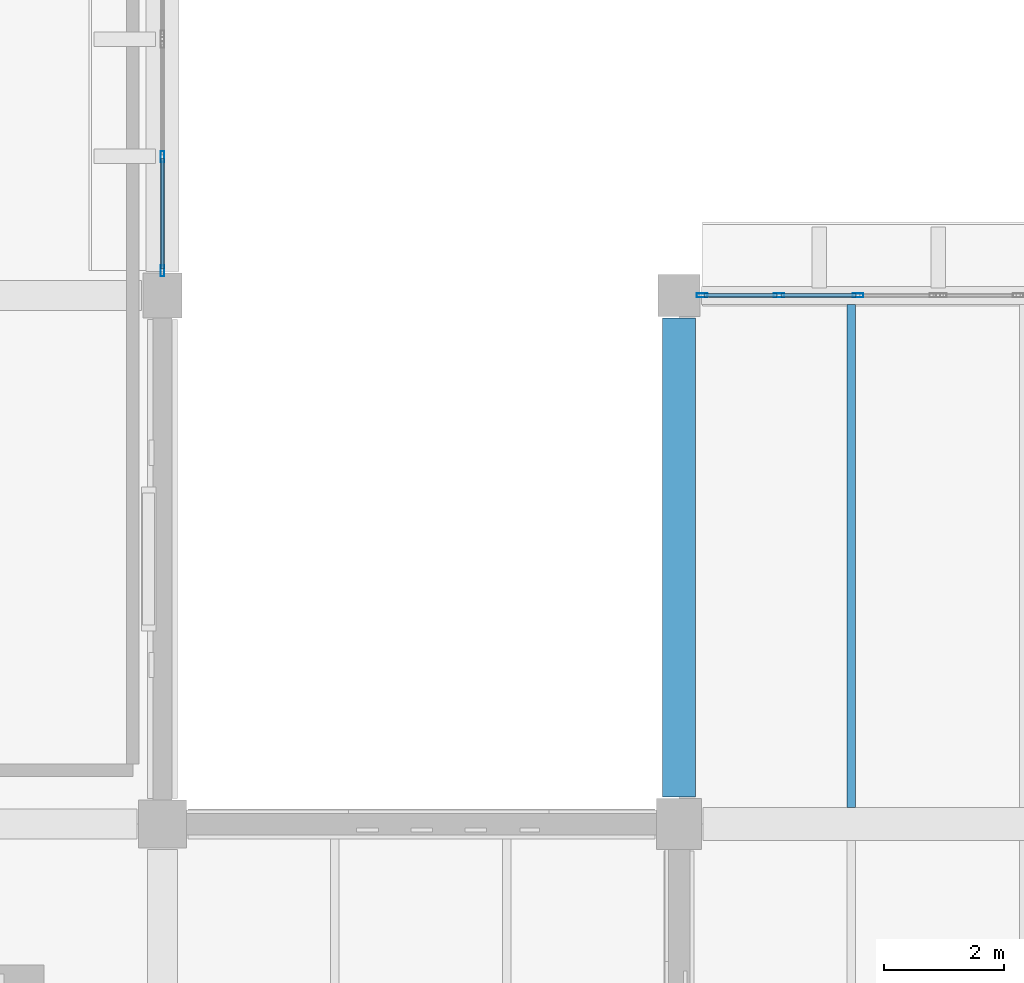
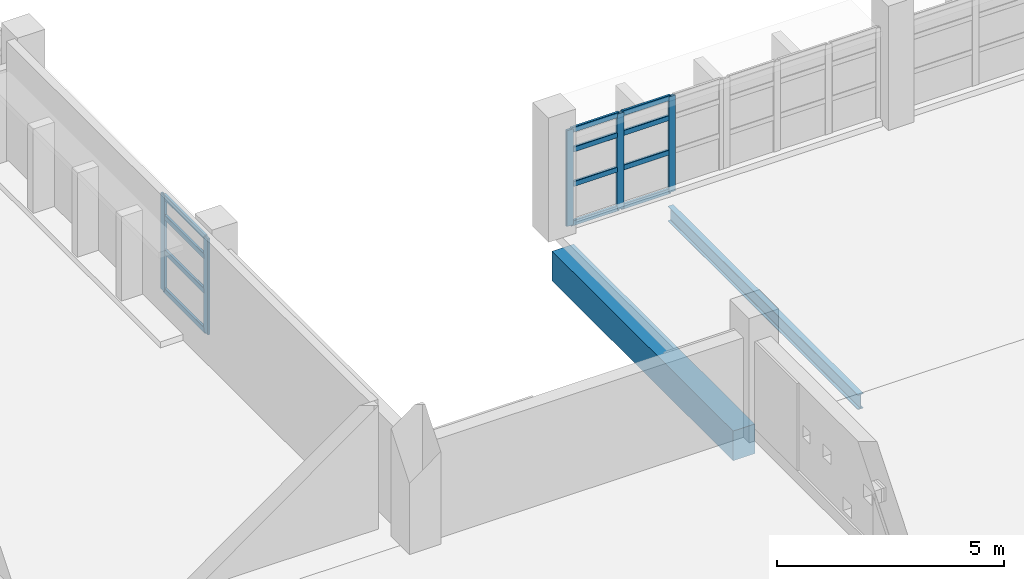
# One storey, part 18 of 75: 17 members, 2 beams, 2 elements without a shape of their own.
"""IFC4 building model written with IfcOpenShell, lengths in metres."""

from ifc_helpers import new_model, si_unit, direction, frame, origin, origin_2d, place, context, subcontext, project, spatial, rectangle, hollow_rectangle, i_section, extrude, material, material_profile, profile_set, type_object, element, aggregate, save


model = new_model("IFC4")

# Units and contexts
model_context = context("Model", 3, precision=1e-05, world=origin(), true_north=direction((0.0, 1.0)))
body_context = subcontext(model_context, "Body", "Model", "MODEL_VIEW")
ifc_project = project(units=[si_unit("LENGTHUNIT", "METRE"), si_unit("AREAUNIT", "SQUARE_METRE"), si_unit("VOLUMEUNIT", "CUBIC_METRE"), si_unit("PLANEANGLEUNIT", "RADIAN"), si_unit("MASSUNIT", "GRAM", prefix="KILO")], contexts=[model_context])

# Site, building, storey
site_placement = place(None, origin())
site = spatial("IfcSite", under=ifc_project, at=site_placement, CompositionType="ELEMENT")
building_placement = place(site_placement, origin())
building = spatial("IfcBuilding", under=site, at=building_placement, Name="Varnakota Cinema and Media Centre", CompositionType="ELEMENT")
storey_placement = place(building_placement, frame((0.0, 0.0, 8.39990234375)))
storey = spatial("IfcBuildingStorey", under=building, at=storey_placement, Name="L02", CompositionType="ELEMENT", Elevation=8.39990234375)

# Beams
ifc_material_1 = material(Name="Concrete M35", Category="concrete")
ifc_material_profile_1 = material_profile(ifc_material_1, rectangle(XDim=0.550048828125, YDim=0.800048828125, at=origin_2d()), Name="RCB 550x800")
ifc_profile_set_1 = profile_set([ifc_material_profile_1], Name="Concrete M35")
beam_type_1 = type_object("IfcBeamType", Name="BM-RC-550x800", PredefinedType="BEAM", material=ifc_profile_set_1)
beam_1_placement = place(storey_placement, frame((43.0, 35.64990234375, -0.64990234375), z_axis=(0.0, 1.0, 0.0), x_axis=(-1.0, 0.0, 0.0)))
element("IfcBeam", 1, at=beam_1_placement, inside=storey, type_object=beam_type_1, Name="L02 girder F/5-6", PredefinedType="BEAM", context=body_context, shape_type="SweptSolid", body=[
    extrude(rectangle(XDim=0.550048828125, YDim=0.800048828125, at=origin_2d()), origin(), (0.0, 0.0, 1.0), 7.97509765625),
])
ifc_material_2 = material(Name="Structural steel Grade 350 (E350)", Category="steel")
ifc_material_profile_2 = material_profile(ifc_material_2, i_section(OverallWidth=0.139892578125, OverallDepth=0.39990234375, WebThickness=0.0087890625, FlangeThickness=0.01611328125, FilletRadius=0.013916015625, at=origin_2d()), Name="ISMB 400")
ifc_profile_set_2 = profile_set([ifc_material_profile_2], Name="Structural steel Grade 350 (E350)")
beam_type_2 = type_object("IfcBeamType", Name="BM-ST-ISMB400", PredefinedType="JOIST", material=ifc_profile_set_2)
beam_2_placement = place(storey_placement, frame((45.86669921875, 35.47509765625, -0.449951171875), z_axis=(0.0, 1.0, 0.0), x_axis=(-1.0, 0.0, 0.0)))
element("IfcBeam", 2, at=beam_2_placement, inside=storey, type_object=beam_type_2, Name="L02 steel joist F-G/5-6 #1", PredefinedType="JOIST", context=body_context, shape_type="SweptSolid", body=[
    extrude(i_section(OverallWidth=0.139892578125, OverallDepth=0.39990234375, WebThickness=0.0087890625, FlangeThickness=0.01611328125, FilletRadius=0.013916015625, at=origin_2d()), origin(), (0.0, 0.0, 1.0), 8.375),
])

# Curtain wall, members
ifc_material_3 = material(Name="Thermally broken anodised aluminium AW-6063", Category="aluminium")
curtain_wall_type_1 = type_object("IfcCurtainWallType", Name="CW-STD-394x258", PredefinedType="USERDEFINED", material=ifc_material_3)
curtain_wall_1_placement = place(storey_placement, origin())
curtain_wall_1 = element("IfcCurtainWall", 3, at=curtain_wall_1_placement, inside=storey, type_object=curtain_wall_type_1, Name="L02 curtain wall CW-L02-LINK-N-01-1", ObjectType="UNITISED CURTAIN WALL", PredefinedType="USERDEFINED")
ifc_material_4 = material(Name="Thermally broken anodised aluminium AW-6063", Category="aluminium")
ifc_material_profile_3 = material_profile(ifc_material_4, hollow_rectangle(XDim=0.06494140625, YDim=0.179931640625, WallThickness=0.00390625, InnerFilletRadius=0.00390625, OuterFilletRadius=0.008056640625, at=origin_2d()), Name="AL-MULLION 180x65x4")
ifc_profile_set_3 = profile_set([ifc_material_profile_3], Name="Thermally broken anodised aluminium AW-6063")
member_type_1 = type_object("IfcMemberType", Name="CWM-AL-180", PredefinedType="MULLION", material=ifc_profile_set_3)
member_1_placement = place(storey_placement, frame((43.382568359375, 44.0, 0.0), z_axis=(0.0, 0.0, 1.0), x_axis=(0.0, 1.0, 0.0)))
member_1 = element("IfcMember", 4, at=member_1_placement, type_object=member_type_1, Name="CW30 mullion 1", PredefinedType="MULLION", context=body_context, shape_type="SweptSolid", body=[
    extrude(hollow_rectangle(XDim=0.06494140625, YDim=0.179931640625, WallThickness=0.00390625, InnerFilletRadius=0.00390625, OuterFilletRadius=0.008056640625, at=origin_2d()), origin(), (0.0, 0.0, 1.0), 2.5751953125),
])
member_2_placement = place(storey_placement, frame((44.6640625, 44.0, 0.0), z_axis=(0.0, 0.0, 1.0), x_axis=(0.0, 1.0, 0.0)))
member_2 = element("IfcMember", 5, at=member_2_placement, type_object=member_type_1, Name="CW30 mullion 2", PredefinedType="MULLION", context=body_context, shape_type="SweptSolid", body=[
    extrude(hollow_rectangle(XDim=0.06494140625, YDim=0.179931640625, WallThickness=0.00390625, InnerFilletRadius=0.00390625, OuterFilletRadius=0.008056640625, at=origin_2d()), origin(), (0.0, 0.0, 1.0), 2.5751953125),
])
member_3_placement = place(storey_placement, frame((45.978271484375, 44.0, 0.0), z_axis=(0.0, 0.0, 1.0), x_axis=(0.0, 1.0, 0.0)))
member_3 = element("IfcMember", 6, at=member_3_placement, type_object=member_type_1, Name="CW30 mullion 3", PredefinedType="MULLION", context=body_context, shape_type="SweptSolid", body=[
    extrude(hollow_rectangle(XDim=0.06494140625, YDim=0.179931640625, WallThickness=0.00390625, InnerFilletRadius=0.00390625, OuterFilletRadius=0.008056640625, at=origin_2d()), origin(), (0.0, 0.0, 1.0), 2.5751953125),
])

ifc_material_5 = material(Name="Thermally broken anodised aluminium AW-6063", Category="aluminium")
curtain_wall_type_2 = type_object("IfcCurtainWallType", Name="CW-STD-387x258", PredefinedType="USERDEFINED", material=ifc_material_5)
curtain_wall_2_placement = place(storey_placement, origin())
curtain_wall_2 = element("IfcCurtainWall", 7, at=curtain_wall_2_placement, inside=storey, type_object=curtain_wall_type_2, Name="L02 curtain wall CW-L02-V5-E-02-1", ObjectType="UNITISED CURTAIN WALL", PredefinedType="USERDEFINED")
member_4_placement = place(storey_placement, frame((34.39990234375, 44.407470703125, 0.0), z_axis=(0.0, 0.0, 1.0), x_axis=(-1.0, 0.0, 0.0)))
member_4 = element("IfcMember", 8, at=member_4_placement, type_object=member_type_1, Name="CW36 mullion 1", PredefinedType="MULLION", context=body_context, shape_type="SweptSolid", body=[
    extrude(hollow_rectangle(XDim=0.06494140625, YDim=0.179931640625, WallThickness=0.00390625, InnerFilletRadius=0.00390625, OuterFilletRadius=0.008056640625, at=origin_2d()), origin(), (0.0, 0.0, 1.0), 2.5751953125),
])
member_5_placement = place(storey_placement, frame((34.39990234375, 46.308837890625, 0.0), z_axis=(0.0, 0.0, 1.0), x_axis=(-1.0, 0.0, 0.0)))
member_5 = element("IfcMember", 9, at=member_5_placement, type_object=member_type_1, Name="CW36 mullion 2", PredefinedType="MULLION", context=body_context, shape_type="SweptSolid", body=[
    extrude(hollow_rectangle(XDim=0.06494140625, YDim=0.179931640625, WallThickness=0.00390625, InnerFilletRadius=0.00390625, OuterFilletRadius=0.008056640625, at=origin_2d()), origin(), (0.0, 0.0, 1.0), 2.5751953125),
])

# Member
ifc_material_6 = material(Name="Thermally broken anodised aluminium AW-6063", Category="aluminium")
ifc_material_profile_4 = material_profile(ifc_material_6, hollow_rectangle(XDim=0.06494140625, YDim=0.139892578125, WallThickness=0.00390625, InnerFilletRadius=0.00390625, OuterFilletRadius=0.008056640625, at=origin_2d()), Name="AL-TRANSOM 140x65x4")
ifc_profile_set_4 = profile_set([ifc_material_profile_4], Name="Thermally broken anodised aluminium AW-6063")
member_type_2 = type_object("IfcMemberType", Name="CWT-AL-140", PredefinedType="USERDEFINED", material=ifc_profile_set_4)
member_6_placement = place(storey_placement, frame((43.4150390625, 44.0, 0.03271484375), z_axis=(1.0, 0.0, 0.0), x_axis=(0.0, 1.0, 0.0)))
member_6 = element("IfcMember", 10, at=member_6_placement, type_object=member_type_2, Name="CW30 transom 1.1", ObjectType="TRANSOM", PredefinedType="USERDEFINED", context=body_context, shape_type="SweptSolid", body=[
    extrude(hollow_rectangle(XDim=0.06494140625, YDim=0.139892578125, WallThickness=0.00390625, InnerFilletRadius=0.00390625, OuterFilletRadius=0.008056640625, at=origin_2d()), origin(), (0.0, 0.0, 1.0), 1.216552734375),
])

member_7_placement = place(storey_placement, frame((43.4150390625, 44.0, 1.08154296875), z_axis=(1.0, 0.0, 0.0), x_axis=(0.0, 1.0, 0.0)))
member_7 = element("IfcMember", 11, at=member_7_placement, type_object=member_type_2, Name="CW30 transom 1.2", ObjectType="TRANSOM", PredefinedType="USERDEFINED", context=body_context, shape_type="SweptSolid", body=[
    extrude(hollow_rectangle(XDim=0.06494140625, YDim=0.139892578125, WallThickness=0.00390625, InnerFilletRadius=0.00390625, OuterFilletRadius=0.008056640625, at=origin_2d()), origin(), (0.0, 0.0, 1.0), 1.216552734375),
])

member_8_placement = place(storey_placement, frame((43.4150390625, 44.0, 2.008544921875), z_axis=(1.0, 0.0, 0.0), x_axis=(0.0, 1.0, 0.0)))
member_8 = element("IfcMember", 12, at=member_8_placement, type_object=member_type_2, Name="CW30 transom 1.3", ObjectType="TRANSOM", PredefinedType="USERDEFINED", context=body_context, shape_type="SweptSolid", body=[
    extrude(hollow_rectangle(XDim=0.06494140625, YDim=0.139892578125, WallThickness=0.00390625, InnerFilletRadius=0.00390625, OuterFilletRadius=0.008056640625, at=origin_2d()), origin(), (0.0, 0.0, 1.0), 1.216552734375),
])

member_9_placement = place(storey_placement, frame((43.4150390625, 44.0, 2.54248046875), z_axis=(1.0, 0.0, 0.0), x_axis=(0.0, 1.0, 0.0)))
member_9 = element("IfcMember", 13, at=member_9_placement, type_object=member_type_2, Name="CW30 transom 1.4", ObjectType="TRANSOM", PredefinedType="USERDEFINED", context=body_context, shape_type="SweptSolid", body=[
    extrude(hollow_rectangle(XDim=0.06494140625, YDim=0.139892578125, WallThickness=0.00390625, InnerFilletRadius=0.00390625, OuterFilletRadius=0.008056640625, at=origin_2d()), origin(), (0.0, 0.0, 1.0), 1.216552734375),
])

member_10_placement = place(storey_placement, frame((44.69677734375, 44.0, 0.03271484375), z_axis=(1.0, 0.0, 0.0), x_axis=(0.0, 1.0, 0.0)))
member_10 = element("IfcMember", 14, at=member_10_placement, type_object=member_type_2, Name="CW30 transom 2.1", ObjectType="TRANSOM", PredefinedType="USERDEFINED", context=body_context, shape_type="SweptSolid", body=[
    extrude(hollow_rectangle(XDim=0.06494140625, YDim=0.139892578125, WallThickness=0.00390625, InnerFilletRadius=0.00390625, OuterFilletRadius=0.008056640625, at=origin_2d()), origin(), (0.0, 0.0, 1.0), 1.2490234375),
])

member_11_placement = place(storey_placement, frame((44.69677734375, 44.0, 1.08154296875), z_axis=(1.0, 0.0, 0.0), x_axis=(0.0, 1.0, 0.0)))
member_11 = element("IfcMember", 15, at=member_11_placement, type_object=member_type_2, Name="CW30 transom 2.2", ObjectType="TRANSOM", PredefinedType="USERDEFINED", context=body_context, shape_type="SweptSolid", body=[
    extrude(hollow_rectangle(XDim=0.06494140625, YDim=0.139892578125, WallThickness=0.00390625, InnerFilletRadius=0.00390625, OuterFilletRadius=0.008056640625, at=origin_2d()), origin(), (0.0, 0.0, 1.0), 1.2490234375),
])

member_12_placement = place(storey_placement, frame((44.69677734375, 44.0, 2.008544921875), z_axis=(1.0, 0.0, 0.0), x_axis=(0.0, 1.0, 0.0)))
member_12 = element("IfcMember", 16, at=member_12_placement, type_object=member_type_2, Name="CW30 transom 2.3", ObjectType="TRANSOM", PredefinedType="USERDEFINED", context=body_context, shape_type="SweptSolid", body=[
    extrude(hollow_rectangle(XDim=0.06494140625, YDim=0.139892578125, WallThickness=0.00390625, InnerFilletRadius=0.00390625, OuterFilletRadius=0.008056640625, at=origin_2d()), origin(), (0.0, 0.0, 1.0), 1.2490234375),
])

member_13_placement = place(storey_placement, frame((44.69677734375, 44.0, 2.54248046875), z_axis=(1.0, 0.0, 0.0), x_axis=(0.0, 1.0, 0.0)))
member_13 = element("IfcMember", 17, at=member_13_placement, type_object=member_type_2, Name="CW30 transom 2.4", ObjectType="TRANSOM", PredefinedType="USERDEFINED", context=body_context, shape_type="SweptSolid", body=[
    extrude(hollow_rectangle(XDim=0.06494140625, YDim=0.139892578125, WallThickness=0.00390625, InnerFilletRadius=0.00390625, OuterFilletRadius=0.008056640625, at=origin_2d()), origin(), (0.0, 0.0, 1.0), 1.2490234375),
])

aggregate(curtain_wall_1, [member_1, member_2, member_3, member_6, member_7, member_8, member_9, member_10, member_11, member_12, member_13])

member_14_placement = place(storey_placement, frame((34.39990234375, 44.43994140625, 0.03271484375), z_axis=(0.0, 1.0, 0.0), x_axis=(-1.0, 0.0, 0.0)))
member_14 = element("IfcMember", 18, at=member_14_placement, type_object=member_type_2, Name="CW36 transom 1.1", ObjectType="TRANSOM", PredefinedType="USERDEFINED", context=body_context, shape_type="SweptSolid", body=[
    extrude(hollow_rectangle(XDim=0.06494140625, YDim=0.139892578125, WallThickness=0.00390625, InnerFilletRadius=0.00390625, OuterFilletRadius=0.008056640625, at=origin_2d()), origin(), (0.0, 0.0, 1.0), 1.83642578125),
])

member_15_placement = place(storey_placement, frame((34.39990234375, 44.43994140625, 1.08154296875), z_axis=(0.0, 1.0, 0.0), x_axis=(-1.0, 0.0, 0.0)))
member_15 = element("IfcMember", 19, at=member_15_placement, type_object=member_type_2, Name="CW36 transom 1.2", ObjectType="TRANSOM", PredefinedType="USERDEFINED", context=body_context, shape_type="SweptSolid", body=[
    extrude(hollow_rectangle(XDim=0.06494140625, YDim=0.139892578125, WallThickness=0.00390625, InnerFilletRadius=0.00390625, OuterFilletRadius=0.008056640625, at=origin_2d()), origin(), (0.0, 0.0, 1.0), 1.83642578125),
])

member_16_placement = place(storey_placement, frame((34.39990234375, 44.43994140625, 2.008544921875), z_axis=(0.0, 1.0, 0.0), x_axis=(-1.0, 0.0, 0.0)))
member_16 = element("IfcMember", 20, at=member_16_placement, type_object=member_type_2, Name="CW36 transom 1.3", ObjectType="TRANSOM", PredefinedType="USERDEFINED", context=body_context, shape_type="SweptSolid", body=[
    extrude(hollow_rectangle(XDim=0.06494140625, YDim=0.139892578125, WallThickness=0.00390625, InnerFilletRadius=0.00390625, OuterFilletRadius=0.008056640625, at=origin_2d()), origin(), (0.0, 0.0, 1.0), 1.83642578125),
])

member_17_placement = place(storey_placement, frame((34.39990234375, 44.43994140625, 2.54248046875), z_axis=(0.0, 1.0, 0.0), x_axis=(-1.0, 0.0, 0.0)))
member_17 = element("IfcMember", 21, at=member_17_placement, type_object=member_type_2, Name="CW36 transom 1.4", ObjectType="TRANSOM", PredefinedType="USERDEFINED", context=body_context, shape_type="SweptSolid", body=[
    extrude(hollow_rectangle(XDim=0.06494140625, YDim=0.139892578125, WallThickness=0.00390625, InnerFilletRadius=0.00390625, OuterFilletRadius=0.008056640625, at=origin_2d()), origin(), (0.0, 0.0, 1.0), 1.83642578125),
])

aggregate(curtain_wall_2, [member_4, member_5, member_14, member_15, member_16, member_17])

save(model, "model.ifc")
